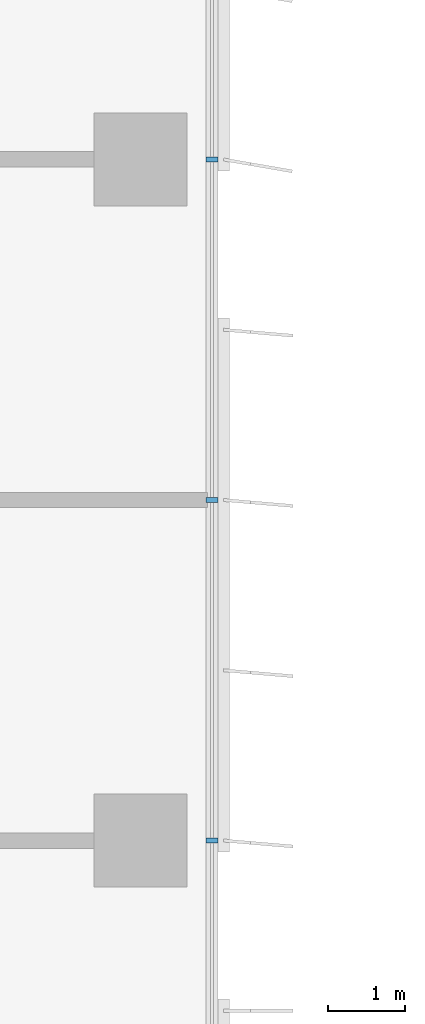
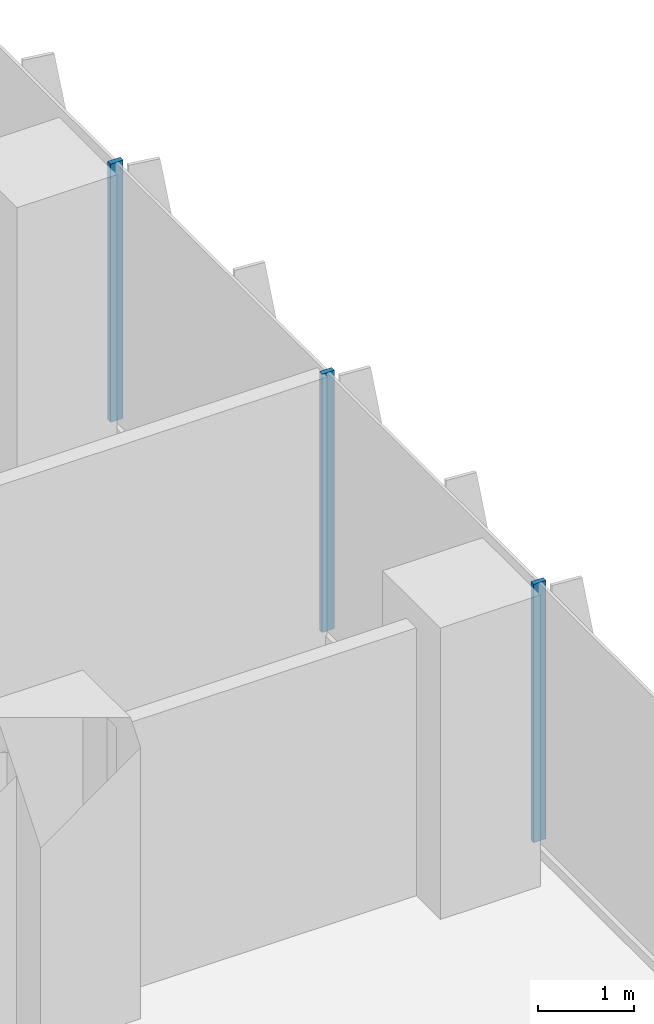
# One storey, part 7 of 22: 3 members, 1 element without a shape of its own.
"""IFC4 building model written with IfcOpenShell, lengths in metres."""

from ifc_helpers import new_model, si_unit, direction, frame, origin, origin_2d, place, context, subcontext, project, spatial, rectangle, extrude, source, transform, mapped, material, material_profile, profile_set, type_object, element, aggregate, save


model = new_model("IFC4")

# Units and contexts
model_context = context("Model", 3, precision=1e-05, world=origin(), true_north=direction((0.0, 1.0)))
body_context = subcontext(model_context, "Body", "Model", "MODEL_VIEW")
ifc_project = project(units=[si_unit("LENGTHUNIT", "METRE"), si_unit("AREAUNIT", "SQUARE_METRE"), si_unit("VOLUMEUNIT", "CUBIC_METRE"), si_unit("PLANEANGLEUNIT", "RADIAN"), si_unit("MASSUNIT", "GRAM", prefix="KILO")], contexts=[model_context])

# Site, building, storey
site_placement = place(None, origin())
site = spatial("IfcSite", under=ifc_project, at=site_placement, CompositionType="ELEMENT")
building_placement = place(site_placement, origin())
building = spatial("IfcBuilding", under=site, at=building_placement, Name="Kemantara Hotel Tower", CompositionType="ELEMENT")
storey_placement = place(building_placement, frame((0.0, 0.0, 90.800048828125)))
storey = spatial("IfcBuildingStorey", under=building, at=storey_placement, Name="L21", CompositionType="ELEMENT", Elevation=90.800048828125)

# Curtain wall, members
ifc_material_1 = material(Name="Low-E tinted double insulated glass 36 mm", Category="glass")
curtain_wall_type = type_object("IfcCurtainWallType", Name="TOWER CURTAIN WALL, FRONT FACES", PredefinedType="USERDEFINED", material=ifc_material_1)
curtain_wall_placement = place(storey_placement, origin())
curtain_wall = element("IfcCurtainWall", 1, at=curtain_wall_placement, inside=storey, type_object=curtain_wall_type, Name="CW4 L21 T2-R14-1", ObjectType="TOWER CURTAIN WALL, FRONT FACES", PredefinedType="USERDEFINED")
ifc_material_2 = material(Name="Aluminium 6063-T6 bronze anodised", Category="aluminium")
ifc_material_profile = material_profile(ifc_material_2, rectangle(XDim=0.14990234375, YDim=0.06005859375, at=origin_2d()), Name="TOWER CURTAIN WALL, FRONT FACES MULLION")
ifc_profile_set = profile_set([ifc_material_profile], Name="Aluminium 6063-T6 bronze anodised")
member_type = type_object("IfcMemberType", Name="TOWER CURTAIN WALL, FRONT FACES MULLION", PredefinedType="MULLION", material=ifc_profile_set)
shared_shape = source(origin(), body_context, "Body", "SweptSolid", [
    extrude(rectangle(XDim=0.14990234375, YDim=0.06005859375, at=origin_2d()), origin(), (0.0, 0.0, 1.0), 3.280029296875),
])
member_1_placement = place(storey_placement, frame((26.72509765625, 53.800048828125, 0.119873046875), z_axis=(0.0, 0.0, 1.0), x_axis=(-1.0, 0.0, 0.0)))
member_1 = element("IfcMember", 2, at=member_1_placement, type_object=member_type, Name="CW4 mullion T2-R14-1.9", PredefinedType="MULLION", context=body_context, shape_type="MappedRepresentation", body=[
    mapped(shared_shape, transform((0.0, 0.0, 0.0))),
])
member_2_placement = place(storey_placement, frame((26.72509765625, 58.199951171875, 0.119873046875), z_axis=(0.0, 0.0, 1.0), x_axis=(-1.0, 0.0, 0.0)))
member_2 = element("IfcMember", 3, at=member_2_placement, type_object=member_type, Name="CW4 mullion T2-R14-1.10", PredefinedType="MULLION", context=body_context, shape_type="MappedRepresentation", body=[
    mapped(shared_shape, transform((0.0, 0.0, 0.0))),
])
member_3_placement = place(storey_placement, frame((26.72509765625, 62.60009765625, 0.119873046875), z_axis=(0.0, 0.0, 1.0), x_axis=(-1.0, 0.0, 0.0)))
member_3 = element("IfcMember", 4, at=member_3_placement, type_object=member_type, Name="CW4 mullion T2-R14-1.11", PredefinedType="MULLION", context=body_context, shape_type="MappedRepresentation", body=[
    mapped(shared_shape, transform((0.0, 0.0, 0.0))),
])
aggregate(curtain_wall, [member_1, member_2, member_3])

save(model, "model.ifc")
